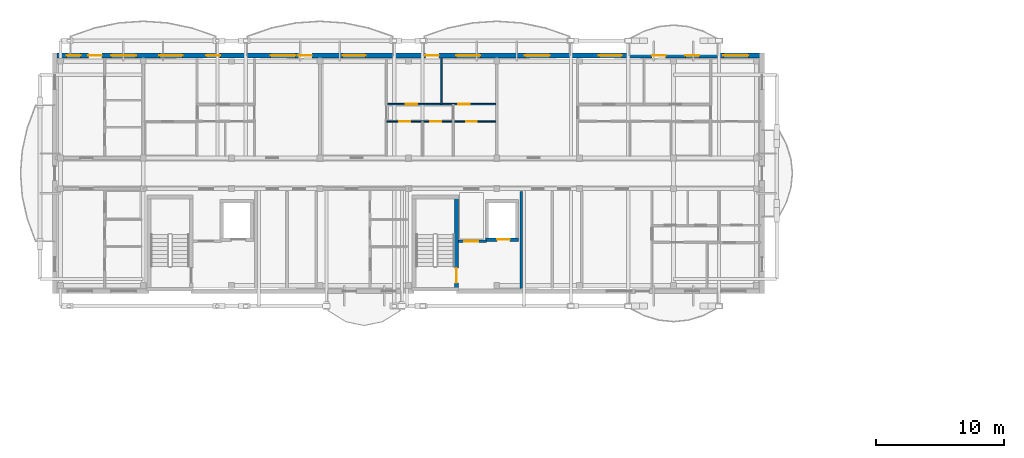
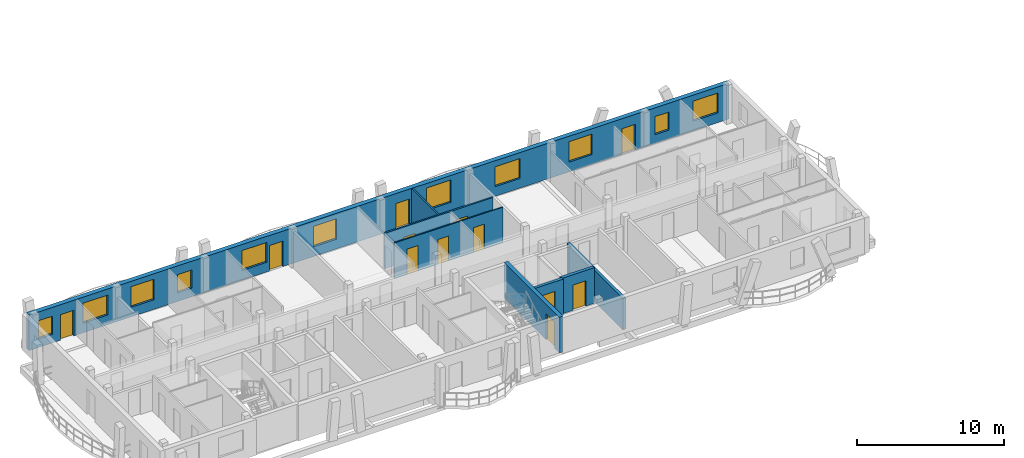
# One storey, part 23 of 48: 12 doors, 11 windows, 8 walls, 23 openings.
"""IFC4 building model written with IfcOpenShell, lengths in metres."""

from ifc_helpers import new_model, si_unit, direction, frame, frame_2d, origin, origin_with_axes, place, context, subcontext, project, spatial, rectangle, extrude, material, layer, layer_set, type_object, element, fill, save


model = new_model("IFC4")

# Units and contexts
model_context = context("Model", 3, precision=1e-05, world=origin(), true_north=direction((0.0, 1.0)))
body_context = subcontext(model_context, "Body", "Model", "MODEL_VIEW")
ifc_project = project(units=[si_unit("LENGTHUNIT", "METRE"), si_unit("AREAUNIT", "SQUARE_METRE"), si_unit("VOLUMEUNIT", "CUBIC_METRE"), si_unit("PLANEANGLEUNIT", "RADIAN"), si_unit("MASSUNIT", "GRAM", prefix="KILO")], contexts=[model_context])

# Site, building, storey
site_placement = place(None, origin())
site = spatial("IfcSite", under=ifc_project, at=site_placement, CompositionType="ELEMENT")
building_placement = place(site_placement, origin())
building = spatial("IfcBuilding", under=site, at=building_placement, Name="Zavelmont Quarter", CompositionType="ELEMENT")
storey_placement = place(building_placement, frame((0.0, 0.0, 17.60009765625)))
storey = spatial("IfcBuildingStorey", under=building, at=storey_placement, Name="L05", CompositionType="ELEMENT", Elevation=17.60009765625)

# Wall, openings, doors, windows
ifc_material_1 = material(Name="Natural Belgian limestone", Category="masonry")
ifc_layer_1 = layer(ifc_material_1, 0.360107421875)
ifc_layer_set_1 = layer_set([ifc_layer_1], Name="Natural Belgian limestone")
wall_type_1 = type_object("IfcWallType", Name="EW02", PredefinedType="STANDARD", material=ifc_layer_set_1)
wall_1_placement = place(storey_placement, frame((0.169921875, 116.0, 0.0), z_axis=(0.0, 0.0, 1.0), x_axis=(1.0, 0.0, 0.0)))
wall_1 = element("IfcWall", 1, at=wall_1_placement, inside=storey, type_object=wall_type_1, Name="L05 exterior limestone wall EW02", PredefinedType="STANDARD", context=body_context, shape_type="SweptSolid", body=[
    extrude(rectangle(XDim=54.860107421875, YDim=0.360107421875, at=frame_2d((27.43017578125, 0.0))), origin(), (0.0, 0.0, 1.0), 2.949951171875),
])
opening_1_placement = place(wall_1_placement, frame((2.45947265625, 0.0, 0.0)))
opening_1 = element("IfcOpeningElement", 2, at=opening_1_placement, cuts=wall_1, Name="Opening DR04A", PredefinedType="OPENING", context=body_context, shape_type="SweptSolid", body=[
    extrude(rectangle(XDim=1.050048828125, YDim=2.1201171875, at=frame_2d((0.52490234375, 1.06005859375))), frame((0.0, 0.19189453125, 0.0), z_axis=(0.0, -1.0, 0.0), x_axis=(1.0, 0.0, 0.0)), (0.0, 0.0, 1.0), 0.384033203125),
])
opening_2_placement = place(wall_1_placement, frame((18.85009765625, 0.0, 0.0)))
opening_2 = element("IfcOpeningElement", 3, at=opening_2_placement, cuts=wall_1, Name="Opening DR04A", PredefinedType="OPENING", context=body_context, shape_type="SweptSolid", body=[
    extrude(rectangle(XDim=1.050048828125, YDim=2.1201171875, at=frame_2d((0.52490234375, 1.06005859375))), frame((0.0, 0.19189453125, 0.0), z_axis=(0.0, -1.0, 0.0), x_axis=(1.0, 0.0, 0.0)), (0.0, 0.0, 1.0), 0.384033203125),
])
opening_3_placement = place(wall_1_placement, frame((28.759521484375, 0.0, 0.0)))
opening_3 = element("IfcOpeningElement", 4, at=opening_3_placement, cuts=wall_1, Name="Opening DR04A", PredefinedType="OPENING", context=body_context, shape_type="SweptSolid", body=[
    extrude(rectangle(XDim=1.050048828125, YDim=2.1201171875, at=frame_2d((0.52490234375, 1.06005859375))), frame((0.0, 0.19189453125, 0.0), z_axis=(0.0, -1.0, 0.0), x_axis=(1.0, 0.0, 0.0)), (0.0, 0.0, 1.0), 0.384033203125),
])
opening_4_placement = place(wall_1_placement, frame((46.449951171875, 0.0, 0.0)))
opening_4 = element("IfcOpeningElement", 5, at=opening_4_placement, cuts=wall_1, Name="Opening DR04A", PredefinedType="OPENING", context=body_context, shape_type="SweptSolid", body=[
    extrude(rectangle(XDim=1.050048828125, YDim=2.1201171875, at=frame_2d((0.52490234375, 1.06005859375))), frame((0.0, 0.19189453125, 0.0), z_axis=(0.0, -1.0, 0.0), x_axis=(1.0, 0.0, 0.0)), (0.0, 0.0, 1.0), 0.384033203125),
])
opening_5_placement = place(wall_1_placement, frame((0.75, 0.0, 0.719970703125)))
opening_5 = element("IfcOpeningElement", 6, at=opening_5_placement, cuts=wall_1, Name="Opening WN09", PredefinedType="OPENING", context=body_context, shape_type="SweptSolid", body=[
    extrude(rectangle(XDim=1.10009765625, YDim=1.5, at=frame_2d((0.550048828125, 0.75))), frame((0.0, 0.19189453125, 0.0), z_axis=(0.0, -1.0, 0.0), x_axis=(1.0, 0.0, 0.0)), (0.0, 0.0, 1.0), 0.384033203125),
])
opening_6_placement = place(wall_1_placement, frame((4.22509765625, 0.0, 0.800048828125)))
opening_6 = element("IfcOpeningElement", 7, at=opening_6_placement, cuts=wall_1, Name="Opening WN24", PredefinedType="OPENING", context=body_context, shape_type="SweptSolid", body=[
    extrude(rectangle(XDim=1.949951171875, YDim=1.64990234375, at=frame_2d((0.97509765625, 0.824951171875))), frame((0.0, 0.19189453125, 0.0), z_axis=(0.0, -1.0, 0.0), x_axis=(1.0, 0.0, 0.0)), (0.0, 0.0, 1.0), 0.384033203125),
])
opening_7_placement = place(wall_1_placement, frame((8.0, 0.0, 0.800048828125)))
opening_7 = element("IfcOpeningElement", 8, at=opening_7_placement, cuts=wall_1, Name="Opening WN02", PredefinedType="OPENING", context=body_context, shape_type="SweptSolid", body=[
    extrude(rectangle(XDim=1.800048828125, YDim=1.699951171875, at=frame_2d((0.89990234375, 0.85009765625))), frame((0.0, 0.19189453125, 0.0), z_axis=(0.0, -1.0, 0.0), x_axis=(1.0, 0.0, 0.0)), (0.0, 0.0, 1.0), 0.384033203125),
])
opening_8_placement = place(wall_1_placement, frame((11.64990234375, 0.0, 0.719970703125)))
opening_8 = element("IfcOpeningElement", 9, at=opening_8_placement, cuts=wall_1, Name="Opening WN09", PredefinedType="OPENING", context=body_context, shape_type="SweptSolid", body=[
    extrude(rectangle(XDim=1.10009765625, YDim=1.5, at=frame_2d((0.550048828125, 0.75))), frame((0.0, 0.19189453125, 0.0), z_axis=(0.0, -1.0, 0.0), x_axis=(1.0, 0.0, 0.0)), (0.0, 0.0, 1.0), 0.384033203125),
])
opening_9_placement = place(wall_1_placement, frame((16.675048828125, 0.0, 0.800048828125)))
opening_9 = element("IfcOpeningElement", 10, at=opening_9_placement, cuts=wall_1, Name="Opening WN24", PredefinedType="OPENING", context=body_context, shape_type="SweptSolid", body=[
    extrude(rectangle(XDim=1.949951171875, YDim=1.64990234375, at=frame_2d((0.97509765625, 0.824951171875))), frame((0.0, 0.19189453125, 0.0), z_axis=(0.0, -1.0, 0.0), x_axis=(1.0, 0.0, 0.0)), (0.0, 0.0, 1.0), 0.384033203125),
])
opening_10_placement = place(wall_1_placement, frame((22.300048828125, 0.0, 0.800048828125)))
opening_10 = element("IfcOpeningElement", 11, at=opening_10_placement, cuts=wall_1, Name="Opening WN02", PredefinedType="OPENING", context=body_context, shape_type="SweptSolid", body=[
    extrude(rectangle(XDim=1.800048828125, YDim=1.699951171875, at=frame_2d((0.89990234375, 0.85009765625))), frame((0.0, 0.19189453125, 0.0), z_axis=(0.0, -1.0, 0.0), x_axis=(1.0, 0.0, 0.0)), (0.0, 0.0, 1.0), 0.384033203125),
])
opening_11_placement = place(wall_1_placement, frame((31.14990234375, 0.0, 0.719970703125)))
opening_11 = element("IfcOpeningElement", 12, at=opening_11_placement, cuts=wall_1, Name="Opening WN20", PredefinedType="OPENING", context=body_context, shape_type="SweptSolid", body=[
    extrude(rectangle(XDim=1.89990234375, YDim=1.85009765625, at=frame_2d((0.949951171875, 0.925048828125))), frame((0.0, 0.19189453125, 0.0), z_axis=(0.0, -1.0, 0.0), x_axis=(1.0, 0.0, 0.0)), (0.0, 0.0, 1.0), 0.384033203125),
])
opening_12_placement = place(wall_1_placement, frame((36.52490234375, 0.0, 0.800048828125)))
opening_12 = element("IfcOpeningElement", 13, at=opening_12_placement, cuts=wall_1, Name="Opening WN24", PredefinedType="OPENING", context=body_context, shape_type="SweptSolid", body=[
    extrude(rectangle(XDim=1.949951171875, YDim=1.64990234375, at=frame_2d((0.97509765625, 0.824951171875))), frame((0.0, 0.19189453125, 0.0), z_axis=(0.0, -1.0, 0.0), x_axis=(1.0, 0.0, 0.0)), (0.0, 0.0, 1.0), 0.384033203125),
])
opening_13_placement = place(wall_1_placement, frame((42.300048828125, 0.0, 0.800048828125)))
opening_13 = element("IfcOpeningElement", 14, at=opening_13_placement, cuts=wall_1, Name="Opening WN02", PredefinedType="OPENING", context=body_context, shape_type="SweptSolid", body=[
    extrude(rectangle(XDim=1.800048828125, YDim=1.699951171875, at=frame_2d((0.89990234375, 0.85009765625))), frame((0.0, 0.19189453125, 0.0), z_axis=(0.0, -1.0, 0.0), x_axis=(1.0, 0.0, 0.0)), (0.0, 0.0, 1.0), 0.384033203125),
])
opening_14_placement = place(wall_1_placement, frame((49.050048828125, 0.0, 0.719970703125)))
opening_14 = element("IfcOpeningElement", 15, at=opening_14_placement, cuts=wall_1, Name="Opening WN09", PredefinedType="OPENING", context=body_context, shape_type="SweptSolid", body=[
    extrude(rectangle(XDim=1.10009765625, YDim=1.5, at=frame_2d((0.550048828125, 0.75))), frame((0.0, 0.19189453125, 0.0), z_axis=(0.0, -1.0, 0.0), x_axis=(1.0, 0.0, 0.0)), (0.0, 0.0, 1.0), 0.384033203125),
])
opening_15_placement = place(wall_1_placement, frame((52.02490234375, 0.0, 0.800048828125)))
opening_15 = element("IfcOpeningElement", 16, at=opening_15_placement, cuts=wall_1, Name="Opening WN24", PredefinedType="OPENING", context=body_context, shape_type="SweptSolid", body=[
    extrude(rectangle(XDim=1.949951171875, YDim=1.64990234375, at=frame_2d((0.97509765625, 0.824951171875))), frame((0.0, 0.19189453125, 0.0), z_axis=(0.0, -1.0, 0.0), x_axis=(1.0, 0.0, 0.0)), (0.0, 0.0, 1.0), 0.384033203125),
])
ifc_material_2 = material(Name="Thermally broken aluminium and double safety glass", Category="aluminium")
door_type_1 = type_object("IfcDoorType", Name="DR04A", OperationType="NOTDEFINED", PredefinedType="DOOR", material=ifc_material_2)
door_1_placement = place(opening_1_placement, frame((1.050048828125, 0.0, 0.0), z_axis=(0.0, 0.0, 1.0), x_axis=(-1.0, 0.0, 0.0)))
door_1 = element("IfcDoor", 17, at=door_1_placement, inside=storey, type_object=door_type_1, Name="Block B L05 glazed balcony door", OperationType="SINGLE_SWING_LEFT", OverallHeight=2.1201171875, OverallWidth=1.050048828125, PredefinedType="DOOR", context=body_context, shape_type="SweptSolid", body=[
    extrude(rectangle(XDim=1.050048828125, YDim=2.1201171875, at=frame_2d((0.52490234375, 1.06005859375))), frame((0.0, 0.02490234375, 0.0), z_axis=(0.0, -1.0, 0.0), x_axis=(1.0, 0.0, 0.0)), (0.0, 0.0, 1.0), 0.050048828125),
])
fill(opening_1, door_1)
door_2_placement = place(opening_2_placement, frame((1.050048828125, 0.0, 0.0), z_axis=(0.0, 0.0, 1.0), x_axis=(-1.0, 0.0, 0.0)))
door_2 = element("IfcDoor", 18, at=door_2_placement, inside=storey, type_object=door_type_1, Name="Block B L05 glazed balcony door", OperationType="SINGLE_SWING_LEFT", OverallHeight=2.1201171875, OverallWidth=1.050048828125, PredefinedType="DOOR", context=body_context, shape_type="SweptSolid", body=[
    extrude(rectangle(XDim=1.050048828125, YDim=2.1201171875, at=frame_2d((0.52490234375, 1.06005859375))), frame((0.0, 0.02490234375, 0.0), z_axis=(0.0, -1.0, 0.0), x_axis=(1.0, 0.0, 0.0)), (0.0, 0.0, 1.0), 0.050048828125),
])
fill(opening_2, door_2)
door_3_placement = place(opening_3_placement, frame((1.050048828125, 0.0, 0.0), z_axis=(0.0, 0.0, 1.0), x_axis=(-1.0, 0.0, 0.0)))
door_3 = element("IfcDoor", 19, at=door_3_placement, inside=storey, type_object=door_type_1, Name="Block B L05 glazed balcony door", OperationType="SINGLE_SWING_LEFT", OverallHeight=2.1201171875, OverallWidth=1.050048828125, PredefinedType="DOOR", context=body_context, shape_type="SweptSolid", body=[
    extrude(rectangle(XDim=1.050048828125, YDim=2.1201171875, at=frame_2d((0.52490234375, 1.06005859375))), frame((0.0, 0.02490234375, 0.0), z_axis=(0.0, -1.0, 0.0), x_axis=(1.0, 0.0, 0.0)), (0.0, 0.0, 1.0), 0.050048828125),
])
fill(opening_3, door_3)
door_4_placement = place(opening_4_placement, frame((1.050048828125, 0.0, 0.0), z_axis=(0.0, 0.0, 1.0), x_axis=(-1.0, 0.0, 0.0)))
door_4 = element("IfcDoor", 20, at=door_4_placement, inside=storey, type_object=door_type_1, Name="Block B L05 glazed balcony door", OperationType="SINGLE_SWING_LEFT", OverallHeight=2.1201171875, OverallWidth=1.050048828125, PredefinedType="DOOR", context=body_context, shape_type="SweptSolid", body=[
    extrude(rectangle(XDim=1.050048828125, YDim=2.1201171875, at=frame_2d((0.52490234375, 1.06005859375))), frame((0.0, 0.02490234375, 0.0), z_axis=(0.0, -1.0, 0.0), x_axis=(1.0, 0.0, 0.0)), (0.0, 0.0, 1.0), 0.050048828125),
])
fill(opening_4, door_4)
ifc_material_3 = material(Name="Double low-E insulated glazing in thermally broken aluminium frame", Category="aluminium")
window_type_1 = type_object("IfcWindowType", Name="WN02", PartitioningType="SINGLE_PANEL", PredefinedType="WINDOW", material=ifc_material_3)
window_1_placement = place(opening_7_placement, origin_with_axes())
window_1 = element("IfcWindow", 21, at=window_1_placement, inside=storey, type_object=window_type_1, Name="L05 window WN02", OverallHeight=1.699951171875, OverallWidth=1.800048828125, PartitioningType="SINGLE_PANEL", PredefinedType="WINDOW", context=body_context, shape_type="SweptSolid", body=[
    extrude(rectangle(XDim=1.800048828125, YDim=1.699951171875, at=frame_2d((0.89990234375, 0.85009765625))), frame((0.0, 0.030029296875, 0.0), z_axis=(0.0, -1.0, 0.0), x_axis=(1.0, 0.0, 0.0)), (0.0, 0.0, 1.0), 0.06005859375),
])
fill(opening_7, window_1)
window_2_placement = place(opening_10_placement, origin_with_axes())
window_2 = element("IfcWindow", 22, at=window_2_placement, inside=storey, type_object=window_type_1, Name="L05 window WN02", OverallHeight=1.699951171875, OverallWidth=1.800048828125, PartitioningType="SINGLE_PANEL", PredefinedType="WINDOW", context=body_context, shape_type="SweptSolid", body=[
    extrude(rectangle(XDim=1.800048828125, YDim=1.699951171875, at=frame_2d((0.89990234375, 0.85009765625))), frame((0.0, 0.030029296875, 0.0), z_axis=(0.0, -1.0, 0.0), x_axis=(1.0, 0.0, 0.0)), (0.0, 0.0, 1.0), 0.06005859375),
])
fill(opening_10, window_2)
window_3_placement = place(opening_13_placement, origin_with_axes())
window_3 = element("IfcWindow", 23, at=window_3_placement, inside=storey, type_object=window_type_1, Name="L05 window WN02", OverallHeight=1.699951171875, OverallWidth=1.800048828125, PartitioningType="SINGLE_PANEL", PredefinedType="WINDOW", context=body_context, shape_type="SweptSolid", body=[
    extrude(rectangle(XDim=1.800048828125, YDim=1.699951171875, at=frame_2d((0.89990234375, 0.85009765625))), frame((0.0, 0.030029296875, 0.0), z_axis=(0.0, -1.0, 0.0), x_axis=(1.0, 0.0, 0.0)), (0.0, 0.0, 1.0), 0.06005859375),
])
fill(opening_13, window_3)
window_type_2 = type_object("IfcWindowType", Name="WN09", PartitioningType="SINGLE_PANEL", PredefinedType="WINDOW", material=ifc_material_3)
window_4_placement = place(opening_5_placement, origin_with_axes())
window_4 = element("IfcWindow", 24, at=window_4_placement, inside=storey, type_object=window_type_2, Name="L05 window WN09", OverallHeight=1.5, OverallWidth=1.10009765625, PartitioningType="SINGLE_PANEL", PredefinedType="WINDOW", context=body_context, shape_type="SweptSolid", body=[
    extrude(rectangle(XDim=1.10009765625, YDim=1.5, at=frame_2d((0.550048828125, 0.75))), frame((0.0, 0.030029296875, 0.0), z_axis=(0.0, -1.0, 0.0), x_axis=(1.0, 0.0, 0.0)), (0.0, 0.0, 1.0), 0.06005859375),
])
fill(opening_5, window_4)
window_5_placement = place(opening_8_placement, origin_with_axes())
window_5 = element("IfcWindow", 25, at=window_5_placement, inside=storey, type_object=window_type_2, Name="L05 window WN09", OverallHeight=1.5, OverallWidth=1.10009765625, PartitioningType="SINGLE_PANEL", PredefinedType="WINDOW", context=body_context, shape_type="SweptSolid", body=[
    extrude(rectangle(XDim=1.10009765625, YDim=1.5, at=frame_2d((0.550048828125, 0.75))), frame((0.0, 0.030029296875, 0.0), z_axis=(0.0, -1.0, 0.0), x_axis=(1.0, 0.0, 0.0)), (0.0, 0.0, 1.0), 0.06005859375),
])
fill(opening_8, window_5)
window_6_placement = place(opening_14_placement, origin_with_axes())
window_6 = element("IfcWindow", 26, at=window_6_placement, inside=storey, type_object=window_type_2, Name="L05 window WN09", OverallHeight=1.5, OverallWidth=1.10009765625, PartitioningType="SINGLE_PANEL", PredefinedType="WINDOW", context=body_context, shape_type="SweptSolid", body=[
    extrude(rectangle(XDim=1.10009765625, YDim=1.5, at=frame_2d((0.550048828125, 0.75))), frame((0.0, 0.030029296875, 0.0), z_axis=(0.0, -1.0, 0.0), x_axis=(1.0, 0.0, 0.0)), (0.0, 0.0, 1.0), 0.06005859375),
])
fill(opening_14, window_6)
window_type_3 = type_object("IfcWindowType", Name="WN20", PartitioningType="SINGLE_PANEL", PredefinedType="WINDOW", material=ifc_material_3)
window_7_placement = place(opening_11_placement, origin_with_axes())
window_7 = element("IfcWindow", 27, at=window_7_placement, inside=storey, type_object=window_type_3, Name="L05 window WN20", OverallHeight=1.85009765625, OverallWidth=1.89990234375, PartitioningType="SINGLE_PANEL", PredefinedType="WINDOW", context=body_context, shape_type="SweptSolid", body=[
    extrude(rectangle(XDim=1.89990234375, YDim=1.85009765625, at=frame_2d((0.949951171875, 0.925048828125))), frame((0.0, 0.030029296875, 0.0), z_axis=(0.0, -1.0, 0.0), x_axis=(1.0, 0.0, 0.0)), (0.0, 0.0, 1.0), 0.06005859375),
])
fill(opening_11, window_7)
window_type_4 = type_object("IfcWindowType", Name="WN24", PartitioningType="SINGLE_PANEL", PredefinedType="WINDOW", material=ifc_material_3)
window_8_placement = place(opening_6_placement, origin_with_axes())
window_8 = element("IfcWindow", 28, at=window_8_placement, inside=storey, type_object=window_type_4, Name="L05 window WN24", OverallHeight=1.64990234375, OverallWidth=1.949951171875, PartitioningType="SINGLE_PANEL", PredefinedType="WINDOW", context=body_context, shape_type="SweptSolid", body=[
    extrude(rectangle(XDim=1.949951171875, YDim=1.64990234375, at=frame_2d((0.97509765625, 0.824951171875))), frame((0.0, 0.030029296875, 0.0), z_axis=(0.0, -1.0, 0.0), x_axis=(1.0, 0.0, 0.0)), (0.0, 0.0, 1.0), 0.06005859375),
])
fill(opening_6, window_8)
window_9_placement = place(opening_9_placement, origin_with_axes())
window_9 = element("IfcWindow", 29, at=window_9_placement, inside=storey, type_object=window_type_4, Name="L05 window WN24", OverallHeight=1.64990234375, OverallWidth=1.949951171875, PartitioningType="SINGLE_PANEL", PredefinedType="WINDOW", context=body_context, shape_type="SweptSolid", body=[
    extrude(rectangle(XDim=1.949951171875, YDim=1.64990234375, at=frame_2d((0.97509765625, 0.824951171875))), frame((0.0, 0.030029296875, 0.0), z_axis=(0.0, -1.0, 0.0), x_axis=(1.0, 0.0, 0.0)), (0.0, 0.0, 1.0), 0.06005859375),
])
fill(opening_9, window_9)
window_10_placement = place(opening_12_placement, origin_with_axes())
window_10 = element("IfcWindow", 30, at=window_10_placement, inside=storey, type_object=window_type_4, Name="L05 window WN24", OverallHeight=1.64990234375, OverallWidth=1.949951171875, PartitioningType="SINGLE_PANEL", PredefinedType="WINDOW", context=body_context, shape_type="SweptSolid", body=[
    extrude(rectangle(XDim=1.949951171875, YDim=1.64990234375, at=frame_2d((0.97509765625, 0.824951171875))), frame((0.0, 0.030029296875, 0.0), z_axis=(0.0, -1.0, 0.0), x_axis=(1.0, 0.0, 0.0)), (0.0, 0.0, 1.0), 0.06005859375),
])
fill(opening_12, window_10)
window_11_placement = place(opening_15_placement, origin_with_axes())
window_11 = element("IfcWindow", 31, at=window_11_placement, inside=storey, type_object=window_type_4, Name="L05 window WN24", OverallHeight=1.64990234375, OverallWidth=1.949951171875, PartitioningType="SINGLE_PANEL", PredefinedType="WINDOW", context=body_context, shape_type="SweptSolid", body=[
    extrude(rectangle(XDim=1.949951171875, YDim=1.64990234375, at=frame_2d((0.97509765625, 0.824951171875))), frame((0.0, 0.030029296875, 0.0), z_axis=(0.0, -1.0, 0.0), x_axis=(1.0, 0.0, 0.0)), (0.0, 0.0, 1.0), 0.06005859375),
])
fill(opening_15, window_11)

# Wall
ifc_material_4 = material(Name="Reinforced masonry fire compartment wall", Category="masonry")
ifc_layer_2 = layer(ifc_material_4, 0.22509765625)
ifc_layer_set_2 = layer_set([ifc_layer_2], Name="Reinforced masonry fire compartment wall")
wall_type_2 = type_object("IfcWallType", Name="IW02", PredefinedType="PARTITIONING", material=ifc_layer_set_2)
wall_2_placement = place(storey_placement, frame((36.409912109375, 97.800048828125, 0.0), z_axis=(0.0, 0.0, 1.0), x_axis=(0.0, 1.0, 0.0)))
element("IfcWall", 32, at=wall_2_placement, inside=storey, type_object=wall_type_2, Name="L05 Firefighting lobby enclosure wall IW02", PredefinedType="PARTITIONING", context=body_context, shape_type="SweptSolid", body=[
    extrude(rectangle(XDim=7.599853515625, YDim=0.22509765625, at=frame_2d((3.7998046875, 0.0))), origin(), (0.0, 0.0, 1.0), 2.58984375),
])

# Wall, opening, door
wall_3_placement = place(storey_placement, frame((31.5, 101.5, 0.0), z_axis=(0.0, 0.0, 1.0), x_axis=(1.0, 0.0, 0.0)))
wall_3 = element("IfcWall", 33, at=wall_3_placement, inside=storey, type_object=wall_type_2, Name="L05 Firefighting lobby threshold wall IW02", PredefinedType="PARTITIONING", context=body_context, shape_type="SweptSolid", body=[
    extrude(rectangle(XDim=2.199951171875, YDim=0.22509765625, at=frame_2d((1.10009765625, 0.0))), origin(), (0.0, 0.0, 1.0), 2.949951171875),
])
opening_16_placement = place(wall_3_placement, frame((0.449951171875, 0.0, 0.0)))
opening_16 = element("IfcOpeningElement", 34, at=opening_16_placement, cuts=wall_3, Name="Opening DR10", PredefinedType="OPENING", context=body_context, shape_type="SweptSolid", body=[
    extrude(rectangle(XDim=1.10009765625, YDim=2.14990234375, at=frame_2d((0.550048828125, 1.074951171875))), frame((0.0, 0.12451171875, 0.0), z_axis=(0.0, -1.0, 0.0), x_axis=(1.0, 0.0, 0.0)), (0.0, 0.0, 1.0), 0.2490234375),
])
ifc_material_5 = material(Name="Painted steel lobby fire door", Category="steel")
door_type_2 = type_object("IfcDoorType", Name="DR10", OperationType="NOTDEFINED", PredefinedType="DOOR", material=ifc_material_5)
door_5_placement = place(opening_16_placement, frame((1.10009765625, 0.0, 0.0), z_axis=(0.0, 0.0, 1.0), x_axis=(-1.0, 0.0, 0.0)))
door_5 = element("IfcDoor", 35, at=door_5_placement, inside=storey, type_object=door_type_2, Name="Firefighting lobby fire door", OperationType="SINGLE_SWING_RIGHT", OverallHeight=2.14990234375, OverallWidth=1.10009765625, PredefinedType="DOOR", context=body_context, shape_type="SweptSolid", body=[
    extrude(rectangle(XDim=1.10009765625, YDim=2.14990234375, at=frame_2d((0.550048828125, 1.074951171875))), frame((0.0, 0.02490234375, 0.0), z_axis=(0.0, -1.0, 0.0), x_axis=(1.0, 0.0, 0.0)), (0.0, 0.0, 1.0), 0.050048828125),
])
fill(opening_16, door_5)

# Wall
ifc_material_6 = material(Name="Double gypsum board on acoustic steel stud", Category="steel")
ifc_layer_3 = layer(ifc_material_6, 0.125)
ifc_layer_set_3 = layer_set([ifc_layer_3], Name="Double gypsum board on acoustic steel stud")
wall_type_3 = type_object("IfcWallType", Name="IW03", PredefinedType="PARTITIONING", material=ifc_layer_set_3)
wall_4_placement = place(storey_placement, frame((30.199951171875, 112.199951171875, 0.0), z_axis=(0.0, 0.0, 1.0), x_axis=(0.0, 1.0, 0.0)))
element("IfcWall", 36, at=wall_4_placement, inside=storey, type_object=wall_type_3, Name="L05 Partition IW03", PredefinedType="PARTITIONING", context=body_context, shape_type="SweptSolid", body=[
    extrude(rectangle(XDim=3.60009765625, YDim=0.125, at=frame_2d((1.800048828125, 0.0))), origin(), (0.0, 0.0, 1.0), 2.949951171875),
])

# Wall, openings, doors
wall_5_placement = place(storey_placement, frame((25.89990234375, 112.199951171875, 0.0), z_axis=(0.0, 0.0, 1.0), x_axis=(1.0, 0.0, 0.0)))
wall_5 = element("IfcWall", 37, at=wall_5_placement, inside=storey, type_object=wall_type_3, Name="L05 Partition IW03", PredefinedType="PARTITIONING", context=body_context, shape_type="SweptSolid", body=[
    extrude(rectangle(XDim=8.5, YDim=0.125, at=frame_2d((4.25, 0.0))), origin(), (0.0, 0.0, 1.0), 2.949951171875),
])
opening_17_placement = place(wall_5_placement, frame((1.5, 0.0, 0.0)))
opening_17 = element("IfcOpeningElement", 38, at=opening_17_placement, cuts=wall_5, Name="Opening DR05", PredefinedType="OPENING", context=body_context, shape_type="SweptSolid", body=[
    extrude(rectangle(XDim=0.89990234375, YDim=2.10009765625, at=frame_2d((0.449951171875, 1.050048828125))), frame((0.0, 0.074462890625, 0.0), z_axis=(0.0, -1.0, 0.0), x_axis=(1.0, 0.0, 0.0)), (0.0, 0.0, 1.0), 0.14892578125),
])
opening_18_placement = place(wall_5_placement, frame((5.60009765625, 0.0, 0.0)))
opening_18 = element("IfcOpeningElement", 39, at=opening_18_placement, cuts=wall_5, Name="Opening DR05", PredefinedType="OPENING", context=body_context, shape_type="SweptSolid", body=[
    extrude(rectangle(XDim=0.89990234375, YDim=2.10009765625, at=frame_2d((0.449951171875, 1.050048828125))), frame((0.0, 0.074462890625, 0.0), z_axis=(0.0, -1.0, 0.0), x_axis=(1.0, 0.0, 0.0)), (0.0, 0.0, 1.0), 0.14892578125),
])
ifc_material_7 = material(Name="Engineered oak flush interior door")
door_type_3 = type_object("IfcDoorType", Name="DR05", OperationType="NOTDEFINED", PredefinedType="DOOR", material=ifc_material_7)
door_6_placement = place(opening_17_placement, origin_with_axes())
door_6 = element("IfcDoor", 40, at=door_6_placement, inside=storey, type_object=door_type_3, Name="L05 door DR05", OperationType="SINGLE_SWING_RIGHT", OverallHeight=2.10009765625, OverallWidth=0.89990234375, PredefinedType="DOOR", context=body_context, shape_type="SweptSolid", body=[
    extrude(rectangle(XDim=0.89990234375, YDim=2.10009765625, at=frame_2d((0.449951171875, 1.050048828125))), frame((0.0, 0.02490234375, 0.0), z_axis=(0.0, -1.0, 0.0), x_axis=(1.0, 0.0, 0.0)), (0.0, 0.0, 1.0), 0.050048828125),
])
fill(opening_17, door_6)
door_7_placement = place(opening_18_placement, frame((0.89990234375, 0.0, 0.0), z_axis=(0.0, 0.0, 1.0), x_axis=(-1.0, 0.0, 0.0)))
door_7 = element("IfcDoor", 41, at=door_7_placement, inside=storey, type_object=door_type_3, Name="L05 door DR05", OperationType="SINGLE_SWING_LEFT", OverallHeight=2.10009765625, OverallWidth=0.89990234375, PredefinedType="DOOR", context=body_context, shape_type="SweptSolid", body=[
    extrude(rectangle(XDim=0.89990234375, YDim=2.10009765625, at=frame_2d((0.449951171875, 1.050048828125))), frame((0.0, 0.02490234375, 0.0), z_axis=(0.0, -1.0, 0.0), x_axis=(1.0, 0.0, 0.0)), (0.0, 0.0, 1.0), 0.050048828125),
])
fill(opening_18, door_7)

ifc_material_8 = material(Name="Moisture-resistant gypsum board on steel stud", Category="steel")
ifc_layer_4 = layer(ifc_material_8, 0.10009765625)
ifc_layer_set_4 = layer_set([ifc_layer_4], Name="Moisture-resistant gypsum board on steel stud")
wall_type_4 = type_object("IfcWallType", Name="IW04", PredefinedType="PARTITIONING", material=ifc_layer_set_4)
wall_6_placement = place(storey_placement, frame((25.89990234375, 110.85009765625, 0.0), z_axis=(0.0, 0.0, 1.0), x_axis=(1.0, 0.0, 0.0)))
wall_6 = element("IfcWall", 42, at=wall_6_placement, inside=storey, type_object=wall_type_4, Name="L05 Partition IW04", PredefinedType="PARTITIONING", context=body_context, shape_type="SweptSolid", body=[
    extrude(rectangle(XDim=8.5, YDim=0.10009765625, at=frame_2d((4.25, 0.0))), origin(), (0.0, 0.0, 1.0), 2.949951171875),
])
opening_19_placement = place(wall_6_placement, frame((1.0, 0.0, 0.0)))
opening_19 = element("IfcOpeningElement", 43, at=opening_19_placement, cuts=wall_6, Name="Opening DR16", PredefinedType="OPENING", context=body_context, shape_type="SweptSolid", body=[
    extrude(rectangle(XDim=0.85009765625, YDim=2.10009765625, at=frame_2d((0.425048828125, 1.050048828125))), frame((0.0, 0.06201171875, 0.0), z_axis=(0.0, -1.0, 0.0), x_axis=(1.0, 0.0, 0.0)), (0.0, 0.0, 1.0), 0.1240234375),
])
opening_20_placement = place(wall_6_placement, frame((3.39990234375, 0.0, 0.0)))
opening_20 = element("IfcOpeningElement", 44, at=opening_20_placement, cuts=wall_6, Name="Opening DR06", PredefinedType="OPENING", context=body_context, shape_type="SweptSolid", body=[
    extrude(rectangle(XDim=0.85009765625, YDim=2.050048828125, at=frame_2d((0.425048828125, 1.02490234375))), frame((0.0, 0.06201171875, 0.0), z_axis=(0.0, -1.0, 0.0), x_axis=(1.0, 0.0, 0.0)), (0.0, 0.0, 1.0), 0.1240234375),
])
opening_21_placement = place(wall_6_placement, frame((6.199951171875, 0.0, 0.0)))
opening_21 = element("IfcOpeningElement", 45, at=opening_21_placement, cuts=wall_6, Name="Opening DR06", PredefinedType="OPENING", context=body_context, shape_type="SweptSolid", body=[
    extrude(rectangle(XDim=0.85009765625, YDim=2.050048828125, at=frame_2d((0.425048828125, 1.02490234375))), frame((0.0, 0.06201171875, 0.0), z_axis=(0.0, -1.0, 0.0), x_axis=(1.0, 0.0, 0.0)), (0.0, 0.0, 1.0), 0.1240234375),
])
ifc_material_9 = material(Name="Moisture-resistant painted wet-room door")
door_type_4 = type_object("IfcDoorType", Name="DR06", OperationType="NOTDEFINED", PredefinedType="DOOR", material=ifc_material_9)
door_8_placement = place(opening_20_placement, origin_with_axes())
door_8 = element("IfcDoor", 46, at=door_8_placement, inside=storey, type_object=door_type_4, Name="L05 door DR06", OperationType="SINGLE_SWING_RIGHT", OverallHeight=2.050048828125, OverallWidth=0.85009765625, PredefinedType="DOOR", context=body_context, shape_type="SweptSolid", body=[
    extrude(rectangle(XDim=0.85009765625, YDim=2.050048828125, at=frame_2d((0.425048828125, 1.02490234375))), frame((0.0, 0.02490234375, 0.0), z_axis=(0.0, -1.0, 0.0), x_axis=(1.0, 0.0, 0.0)), (0.0, 0.0, 1.0), 0.050048828125),
])
fill(opening_20, door_8)
door_9_placement = place(opening_21_placement, frame((0.85009765625, 0.0, 0.0), z_axis=(0.0, 0.0, 1.0), x_axis=(-1.0, 0.0, 0.0)))
door_9 = element("IfcDoor", 47, at=door_9_placement, inside=storey, type_object=door_type_4, Name="L05 door DR06", OperationType="SINGLE_SWING_LEFT", OverallHeight=2.050048828125, OverallWidth=0.85009765625, PredefinedType="DOOR", context=body_context, shape_type="SweptSolid", body=[
    extrude(rectangle(XDim=0.85009765625, YDim=2.050048828125, at=frame_2d((0.425048828125, 1.02490234375))), frame((0.0, 0.02490234375, 0.0), z_axis=(0.0, -1.0, 0.0), x_axis=(1.0, 0.0, 0.0)), (0.0, 0.0, 1.0), 0.050048828125),
])
fill(opening_21, door_9)
door_type_5 = type_object("IfcDoorType", Name="DR16", OperationType="NOTDEFINED", PredefinedType="DOOR", material=ifc_material_7)
door_10_placement = place(opening_19_placement, frame((0.85009765625, 0.0, 0.0), z_axis=(0.0, 0.0, 1.0), x_axis=(-1.0, 0.0, 0.0)))
door_10 = element("IfcDoor", 48, at=door_10_placement, inside=storey, type_object=door_type_5, Name="L05 door DR16", OperationType="SINGLE_SWING_LEFT", OverallHeight=2.10009765625, OverallWidth=0.85009765625, PredefinedType="DOOR", context=body_context, shape_type="SweptSolid", body=[
    extrude(rectangle(XDim=0.85009765625, YDim=2.10009765625, at=frame_2d((0.425048828125, 1.050048828125))), frame((0.0, 0.02490234375, 0.0), z_axis=(0.0, -1.0, 0.0), x_axis=(1.0, 0.0, 0.0)), (0.0, 0.0, 1.0), 0.050048828125),
])
fill(opening_19, door_10)

# Wall, opening, door
ifc_material_10 = material(Name="Concrete C40/50", Category="concrete")
ifc_layer_5 = layer(ifc_material_10, 0.300048828125)
ifc_layer_set_5 = layer_set([ifc_layer_5], Name="Concrete C40/50")
wall_type_5 = type_object("IfcWallType", Name="SW01", PredefinedType="SHEAR", material=ifc_layer_set_5)
wall_7_placement = place(storey_placement, frame((31.35009765625, 97.60009765625, 0.0), z_axis=(0.0, 0.0, 1.0), x_axis=(0.0, 1.0, 0.0)))
wall_7 = element("IfcWall", 49, at=wall_7_placement, inside=storey, type_object=wall_type_5, Name="L05 ST04 lobby shear wall SW01", PredefinedType="SHEAR", context=body_context, shape_type="SweptSolid", body=[
    extrude(rectangle(XDim=7.5, YDim=0.300048828125, at=frame_2d((3.75, 0.0))), origin(), (0.0, 0.0, 1.0), 2.949951171875),
])
opening_22_placement = place(wall_7_placement, frame((0.64990234375, 0.0, 0.0)))
opening_22 = element("IfcOpeningElement", 50, at=opening_22_placement, cuts=wall_7, Name="Opening DR09", PredefinedType="OPENING", context=body_context, shape_type="SweptSolid", body=[
    extrude(rectangle(XDim=1.14990234375, YDim=2.14990234375, at=frame_2d((0.574951171875, 1.074951171875))), frame((0.0, 0.162109375, 0.0), z_axis=(0.0, -1.0, 0.0), x_axis=(1.0, 0.0, 0.0)), (0.0, 0.0, 1.0), 0.323974609375),
])
ifc_material_11 = material(Name="Painted steel stair-core fire door", Category="steel")
door_type_6 = type_object("IfcDoorType", Name="DR09", OperationType="NOTDEFINED", PredefinedType="DOOR", material=ifc_material_11)
door_11_placement = place(opening_22_placement, origin_with_axes())
door_11 = element("IfcDoor", 51, at=door_11_placement, inside=storey, type_object=door_type_6, Name="ST04 protected stair door", OperationType="SINGLE_SWING_RIGHT", OverallHeight=2.14990234375, OverallWidth=1.14990234375, PredefinedType="DOOR", context=body_context, shape_type="SweptSolid", body=[
    extrude(rectangle(XDim=1.14990234375, YDim=2.14990234375, at=frame_2d((0.574951171875, 1.074951171875))), frame((0.0, 0.02490234375, 0.0), z_axis=(0.0, -1.0, 0.0), x_axis=(1.0, 0.0, 0.0)), (0.0, 0.0, 1.0), 0.050048828125),
])
fill(opening_22, door_11)

ifc_layer_6 = layer(ifc_material_10, 0.25)
ifc_layer_set_6 = layer_set([ifc_layer_6], Name="Concrete C40/50")
wall_type_6 = type_object("IfcWallType", Name="SW02", PredefinedType="SHEAR", material=ifc_layer_set_6)
wall_8_placement = place(storey_placement, frame((33.60009765625, 101.625, 0.0), z_axis=(0.0, 0.0, 1.0), x_axis=(1.0, 0.0, 0.0)))
wall_8 = element("IfcWall", 52, at=wall_8_placement, inside=storey, type_object=wall_type_6, Name="L05 Lift LF04 landing shaft wall SW02", PredefinedType="SHEAR", context=body_context, shape_type="SweptSolid", body=[
    extrude(rectangle(XDim=2.599853515625, YDim=0.25, at=frame_2d((1.2998046875, 0.0))), origin(), (0.0, 0.0, 1.0), 2.949951171875),
])
opening_23_placement = place(wall_8_placement, frame((0.925048828125, 0.0, 0.0)))
opening_23 = element("IfcOpeningElement", 53, at=opening_23_placement, cuts=wall_8, Name="Opening LD01", PredefinedType="OPENING", context=body_context, shape_type="SweptSolid", body=[
    extrude(rectangle(XDim=1.0, YDim=2.10009765625, at=frame_2d((0.5, 1.050048828125))), frame((0.0, 0.136962890625, 0.0), z_axis=(0.0, -1.0, 0.0), x_axis=(1.0, 0.0, 0.0)), (0.0, 0.0, 1.0), 0.27392578125),
])
ifc_material_12 = material(Name="Brushed stainless-steel automatic sliding landing door", Category="steel")
door_type_7 = type_object("IfcDoorType", Name="LD01", OperationType="SLIDING_TO_LEFT", PredefinedType="DOOR", material=ifc_material_12)
door_12_placement = place(opening_23_placement, origin_with_axes())
door_12 = element("IfcDoor", 54, at=door_12_placement, inside=storey, type_object=door_type_7, Name="Lift LF04 sliding landing door", OperationType="SLIDING_TO_LEFT", OverallHeight=2.10009765625, OverallWidth=1.0, PredefinedType="DOOR", context=body_context, shape_type="SweptSolid", body=[
    extrude(rectangle(XDim=1.0, YDim=2.10009765625, at=frame_2d((0.5, 1.050048828125))), frame((0.0, 0.02490234375, 0.0), z_axis=(0.0, -1.0, 0.0), x_axis=(1.0, 0.0, 0.0)), (0.0, 0.0, 1.0), 0.050048828125),
])
fill(opening_23, door_12)

save(model, "model.ifc")
